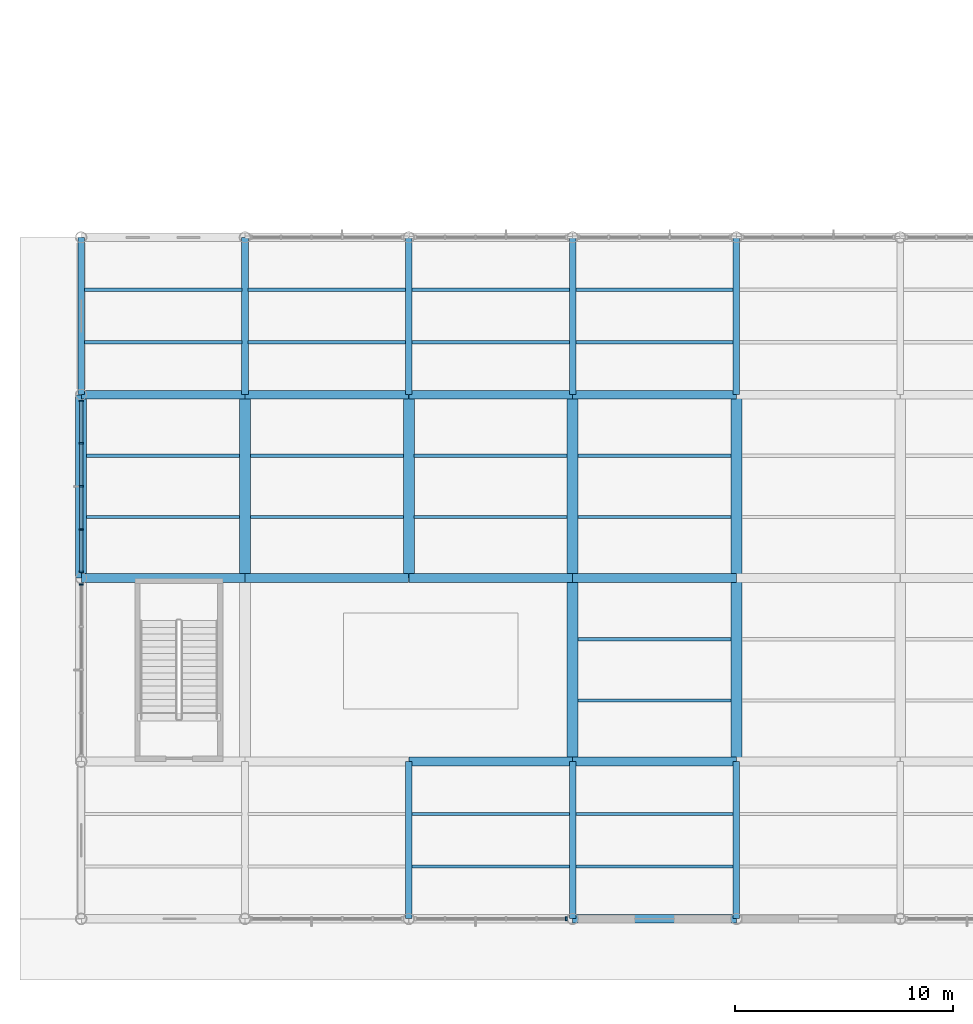
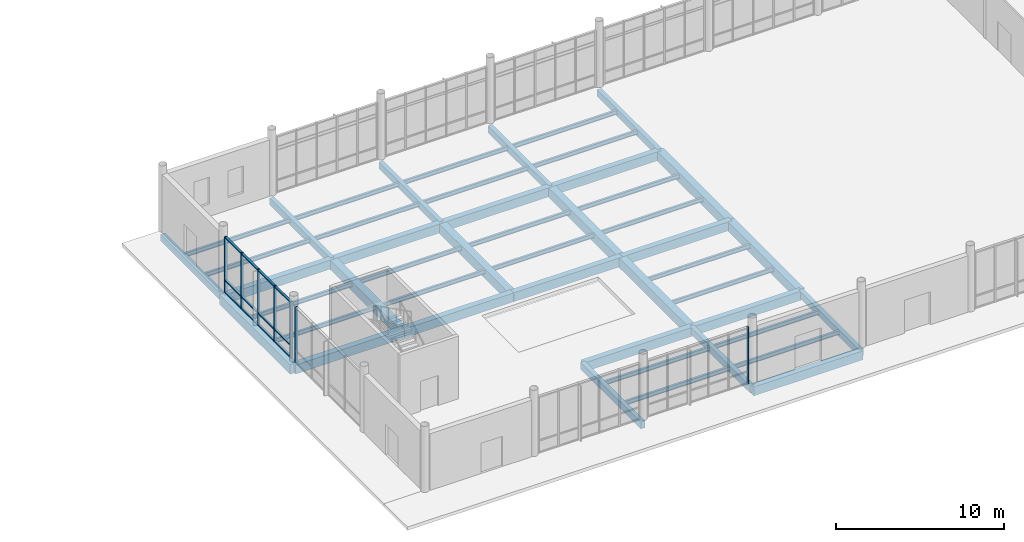
# One storey, part 16 of 82: 48 beams, 19 members, 3 elements without a shape of their own.
"""IFC4 building model written with IfcOpenShell, lengths in metres."""

import ifcopenshell
import ifcopenshell.guid

model = None  # the IFC model being written
_history = None  # IfcOwnerHistory: only IFC2X3 demands one
_inside = {}  # id of a spatial element -> (the spatial element, [elements in it])
_under = {}  # id of a project, library or spatial element -> (it, [spatial elements below it])
_declared = {}  # id of a project -> (the project, [libraries it declares])
_typed = {}  # id of a type object -> (the type object, [elements of that type])
_made_of = {}  # id of a material, layer set ... -> (it, [elements and type objects made of it])


def new_model(schema):
    """Start an empty IFC model of exactly this schema.

    Asked for "IFC4X3", IfcOpenShell would pick the latest addendum, in which some entities
    have other attributes; the version numbers below select the first issue.
    IFC2X3 requires an IfcOwnerHistory on every rooted entity: one is made here for all.
    """
    global model, _history
    if schema == "IFC4X3":
        model = ifcopenshell.file(schema_version=(4, 3, 0, 0))
    else:
        model = ifcopenshell.file(schema=schema)
    _inside.clear()
    _under.clear()
    _declared.clear()
    _typed.clear()
    _made_of.clear()
    _history = None
    if model.schema == "IFC2X3":
        org = make("IfcOrganization", Name="unknown")
        user = make(
            "IfcPersonAndOrganization",
            ThePerson=make("IfcPerson", FamilyName="unknown"),
            TheOrganization=org,
        )
        app = make(
            "IfcApplication",
            ApplicationDeveloper=org,
            Version="unknown",
            ApplicationFullName="unknown",
            ApplicationIdentifier="unknown",
        )
        _history = make(
            "IfcOwnerHistory",
            OwningUser=user,
            OwningApplication=app,
            ChangeAction="ADDED",
            CreationDate=0,
        )
    return model


def make(cls, **values):
    """One entity of the class cls with the attributes given. An attribute that is None is left unset."""
    return model.create_entity(
        cls, **{name: value for name, value in values.items() if value is not None}
    )


def rooted(cls, **values):
    """An entity with a GlobalId (a new one), such as an element, a storey or a relation."""
    return make(cls, GlobalId=ifcopenshell.guid.new(), OwnerHistory=_history, **values)


def si_unit(unit_type, name, prefix=None):
    """IfcSIUnit, for example si_unit("LENGTHUNIT", "METRE", prefix="MILLI")."""
    return make("IfcSIUnit", UnitType=unit_type, Prefix=prefix, Name=name)


def assignment(units):
    """IfcUnitAssignment: the units of a project."""
    return None if units is None else make("IfcUnitAssignment", Units=units)


def point(xyz):
    """IfcCartesianPoint."""
    return None if xyz is None else make("IfcCartesianPoint", Coordinates=xyz)


def direction(xyz):
    """IfcDirection."""
    return None if xyz is None else make("IfcDirection", DirectionRatios=xyz)


def frame(location, z_axis=None, x_axis=None):
    """IfcAxis2Placement3D, a coordinate frame: its origin and axes. An axis left out is left unset."""
    return make(
        "IfcAxis2Placement3D",
        Location=point(location),
        Axis=direction(z_axis),
        RefDirection=direction(x_axis),
    )


def frame_2d(location, x_axis=None):
    """IfcAxis2Placement2D, a coordinate frame in the plane: its origin and x axis."""
    return make(
        "IfcAxis2Placement2D", Location=point(location), RefDirection=direction(x_axis)
    )


def origin():
    """The frame at (0, 0, 0) with its axes left unset."""
    return frame((0.0, 0.0, 0.0))


def origin_2d():
    """The frame at (0, 0) in the plane with its x axis left unset."""
    return frame_2d((0.0, 0.0))


def place(relative_to, where):
    """IfcLocalPlacement: puts the frame where relative to a parent placement (None: the world)."""
    return make(
        "IfcLocalPlacement", PlacementRelTo=relative_to, RelativePlacement=where
    )


def context(
    kind, dimensions, precision=None, world=None, true_north=None, identifier=None
):
    """IfcGeometricRepresentationContext, for example the 3D "Model" context."""
    return make(
        "IfcGeometricRepresentationContext",
        ContextIdentifier=identifier,
        ContextType=kind,
        CoordinateSpaceDimension=dimensions,
        Precision=precision,
        WorldCoordinateSystem=world,
        TrueNorth=true_north,
    )


def subcontext(parent, identifier, kind, view, scale=None):
    """IfcGeometricRepresentationSubContext, for example "Body" below "Model"."""
    return make(
        "IfcGeometricRepresentationSubContext",
        ContextIdentifier=identifier,
        ContextType=kind,
        ParentContext=parent,
        TargetScale=scale,
        TargetView=view,
    )


def project(units=None, contexts=None):
    """IfcProject with its units and contexts."""
    return rooted(
        "IfcProject",
        Name="project",
        RepresentationContexts=contexts,
        UnitsInContext=assignment(units),
    )


def spatial(cls, under=None, at=None, **own):
    """A site, building, storey or space (cls), placed at a placement, below another one or the project."""
    s = rooted(cls, ObjectPlacement=at, **own)
    if under is not None:
        _under.setdefault(under.id(), (under, []))[1].append(s)
    return s


def profile(cls, at=None, kind="AREA", **sizes):
    """A parametric profile (cls). Its sizes go by their IFC names, for example OverallWidth=200.0."""
    return make(cls, ProfileType=kind, Position=at, **sizes)


def rectangle(**sizes):
    """IfcRectangleProfileDef."""
    return profile("IfcRectangleProfileDef", **sizes)


def i_section(**sizes):
    """IfcIShapeProfileDef."""
    return profile("IfcIShapeProfileDef", **sizes)


def extrude(swept, where, along, depth):
    """IfcExtrudedAreaSolid: the profile swept, set in the frame where, extruded along a direction by depth."""
    return make(
        "IfcExtrudedAreaSolid",
        SweptArea=swept,
        Position=where,
        ExtrudedDirection=direction(along),
        Depth=depth,
    )


def shape(context_of_items, identifier, shape_type, items):
    """IfcShapeRepresentation: the items that make up one representation, for example the "Body"."""
    return make(
        "IfcShapeRepresentation",
        ContextOfItems=context_of_items,
        RepresentationIdentifier=identifier,
        RepresentationType=shape_type,
        Items=items,
    )


def material(Name=None, Category=None):
    """IfcMaterial."""
    return make("IfcMaterial", Name=Name, Category=Category)


def layer(
    of_material, thickness, ventilated=None, Name=None, Category=None, Priority=None
):
    """IfcMaterialLayer: one layer of a wall or slab, of a material (None: an air gap)."""
    return make(
        "IfcMaterialLayer",
        Material=of_material,
        LayerThickness=thickness,
        IsVentilated=ventilated,
        Name=Name,
        Category=Category,
        Priority=Priority,
    )


def layer_set(layers, Name=None):
    """IfcMaterialLayerSet."""
    return make("IfcMaterialLayerSet", MaterialLayers=layers, LayerSetName=Name)


def material_profile(
    of_material, cross_section, Name=None, Category=None, Priority=None
):
    """IfcMaterialProfile: a cross section and its material."""
    return make(
        "IfcMaterialProfile",
        Name=Name,
        Material=of_material,
        Profile=cross_section,
        Priority=Priority,
        Category=Category,
    )


def profile_set(profiles, Name=None, composite=None):
    """IfcMaterialProfileSet."""
    return make(
        "IfcMaterialProfileSet",
        Name=Name,
        MaterialProfiles=profiles,
        CompositeProfile=composite,
    )


def made_of(thing, what):
    """Note that an element or type object is made of a material, layer set ...; save() writes the relation."""
    if what is not None:
        _made_of.setdefault(what.id(), (what, []))[1].append(thing)
    return thing


def type_object(cls, material=None, **own):
    """A type object (cls), such as IfcWallType, which elements share."""
    return made_of(rooted(cls, **own), material)


def element(
    cls,
    number,
    at=None,
    inside=None,
    cuts=None,
    type_object=None,
    material=None,
    context=None,
    identifier="Body",
    shape_type=None,
    held_by="IfcProductDefinitionShape",
    body=None,
    shapes=None,
    **own,
):
    """One element of the class cls, such as IfcWall. Its Tag is "e" and its number.

    at: its placement. inside: the storey or other place that contains it. cuts: it is an
    opening in that element (IfcRelVoidsElement). A single representation is given by context,
    identifier, shape_type and body (its items); several are given by shapes. held_by: the class
    of the entity that holds the representations. save() writes the other relations.
    """
    e = rooted(cls, Tag="e%d" % number, ObjectPlacement=at, **own)
    if body is not None:
        shapes = [shape(context, identifier, shape_type, body)]
    if shapes is not None:
        e.Representation = make(held_by, Representations=shapes)
    if inside is not None:
        _inside.setdefault(inside.id(), (inside, []))[1].append(e)
    if cuts is not None:
        rooted(
            "IfcRelVoidsElement", RelatingBuildingElement=cuts, RelatedOpeningElement=e
        )
    if type_object is not None:
        _typed.setdefault(type_object.id(), (type_object, []))[1].append(e)
    return made_of(e, material)


def aggregate(whole, parts):
    """IfcRelAggregates: a whole, such as a stair, and the parts it consists of."""
    return rooted("IfcRelAggregates", RelatingObject=whole, RelatedObjects=parts)


def save(model, path):
    """Write the relations noted so far, then the file.

    IfcRelAggregates (storeys below a building ...), IfcRelContainedInSpatialStructure (elements
    in a storey), IfcRelDefinesByType, IfcRelAssociatesMaterial and IfcRelDeclares: one each for
    every whole, place, type object, material and project.
    """
    for whole, parts in _under.values():
        aggregate(whole, parts)
    for where, things in _inside.values():
        rooted(
            "IfcRelContainedInSpatialStructure",
            RelatedElements=things,
            RelatingStructure=where,
        )
    for kind, things in _typed.values():
        rooted("IfcRelDefinesByType", RelatedObjects=things, RelatingType=kind)
    for what, things in _made_of.values():
        rooted("IfcRelAssociatesMaterial", RelatedObjects=things, RelatingMaterial=what)
    for by, libraries in _declared.values():
        rooted("IfcRelDeclares", RelatingContext=by, RelatedDefinitions=libraries)
    model.write(path)


model = new_model("IFC4")

# Units and contexts
model_context = context("Model", 3, precision=1e-05, world=origin(), true_north=direction((0.0, 1.0)))
body_context = subcontext(model_context, "Body", "Model", "MODEL_VIEW")
ifc_project = project(units=[si_unit("LENGTHUNIT", "METRE"), si_unit("AREAUNIT", "SQUARE_METRE"), si_unit("VOLUMEUNIT", "CUBIC_METRE"), si_unit("PLANEANGLEUNIT", "RADIAN"), si_unit("MASSUNIT", "GRAM", prefix="KILO")], contexts=[model_context])

# Site, building, storey
site_placement = place(None, origin())
site = spatial("IfcSite", under=ifc_project, at=site_placement, CompositionType="ELEMENT")
building_placement = place(site_placement, origin())
building = spatial("IfcBuilding", under=site, at=building_placement, Name="Yukiwa Park Conservatory and Herbarium", CompositionType="ELEMENT")
storey_placement = place(building_placement, origin())
storey = spatial("IfcBuildingStorey", under=building, at=storey_placement, Name="L00", CompositionType="ELEMENT", Elevation=0.0)

# Beams
ifc_material_1 = material(Name="Steel Q355D", Category="steel")
ifc_material_profile_1 = material_profile(ifc_material_1, i_section(OverallWidth=0.14892578125, OverallDepth=0.298095703125, WebThickness=0.005615234375, FlangeThickness=0.008056640625, FilletRadius=0.012939453125, at=origin_2d()), Name="HN 298x149x5.5x8")
ifc_profile_set_1 = profile_set([ifc_material_profile_1], Name="Steel Q355D")
beam_type_1 = type_object("IfcBeamType", Name="BM-JST-HN298", PredefinedType="JOIST", material=ifc_profile_set_1)
for number, where, z_axis, x_axis, name in (
    (1, (0.24609375, 18.39990234375, -0.408935546875), (1.0, 0.0, 0.0), (0.0, 1.0, 0.0), "L00 composite floor joist 3"),
    (2, (0.24609375, 21.199951171875, -0.408935546875), (1.0, 0.0, 0.0), (0.0, 1.0, 0.0), "L00 composite floor joist 4"),
):
    element("IfcBeam", number, at=place(storey_placement, frame(where, z_axis=z_axis, x_axis=x_axis)), inside=storey, type_object=beam_type_1, Name=name, PredefinedType="JOIST", context=body_context, shape_type="SweptSolid", body=[
        extrude(i_section(OverallWidth=0.14892578125, OverallDepth=0.298095703125, WebThickness=0.005615234375, FlangeThickness=0.008056640625, FilletRadius=0.012939453125, at=origin_2d()), origin(), (0.0, 0.0, 1.0), 7.0078125),
    ])
for number, where, z_axis, x_axis, name in (
    (3, (0.14599609375, 26.39990234375, -0.408935546875), (1.0, 0.0, 0.0), (0.0, 1.0, 0.0), "L00 composite floor joist 5"),
    (4, (0.14599609375, 28.800048828125, -0.408935546875), (1.0, 0.0, 0.0), (0.0, 1.0, 0.0), "L00 composite floor joist 6"),
):
    element("IfcBeam", number, at=place(storey_placement, frame(where, z_axis=z_axis, x_axis=x_axis)), inside=storey, type_object=beam_type_1, Name=name, PredefinedType="JOIST", context=body_context, shape_type="SweptSolid", body=[
        extrude(i_section(OverallWidth=0.14892578125, OverallDepth=0.298095703125, WebThickness=0.005615234375, FlangeThickness=0.008056640625, FilletRadius=0.012939453125, at=origin_2d()), origin(), (0.0, 0.0, 1.0), 7.2080078125),
    ])
for number, where, z_axis, x_axis, name in (
    (5, (7.74609375, 18.39990234375, -0.408935546875), (1.0, 0.0, 0.0), (0.0, 1.0, 0.0), "L00 composite floor joist 9"),
    (6, (7.74609375, 21.199951171875, -0.408935546875), (1.0, 0.0, 0.0), (0.0, 1.0, 0.0), "L00 composite floor joist 10"),
):
    element("IfcBeam", number, at=place(storey_placement, frame(where, z_axis=z_axis, x_axis=x_axis)), inside=storey, type_object=beam_type_1, Name=name, PredefinedType="JOIST", context=body_context, shape_type="SweptSolid", body=[
        extrude(i_section(OverallWidth=0.14892578125, OverallDepth=0.298095703125, WebThickness=0.005615234375, FlangeThickness=0.008056640625, FilletRadius=0.012939453125, at=origin_2d()), origin(), (0.0, 0.0, 1.0), 7.0078125),
    ])
for number, where, z_axis, x_axis, name in (
    (7, (7.64599609375, 26.39990234375, -0.408935546875), (1.0, 0.0, 0.0), (0.0, 1.0, 0.0), "L00 composite floor joist 11"),
    (8, (7.64599609375, 28.800048828125, -0.408935546875), (1.0, 0.0, 0.0), (0.0, 1.0, 0.0), "L00 composite floor joist 12"),
    (9, (15.14599609375, 2.39990234375, -0.408935546875), (1.0, 0.0, 0.0), (0.0, 1.0, 0.0), "L00 composite floor joist 13"),
    (10, (15.14599609375, 4.800048828125, -0.408935546875), (1.0, 0.0, 0.0), (0.0, 1.0, 0.0), "L00 composite floor joist 14"),
):
    element("IfcBeam", number, at=place(storey_placement, frame(where, z_axis=z_axis, x_axis=x_axis)), inside=storey, type_object=beam_type_1, Name=name, PredefinedType="JOIST", context=body_context, shape_type="SweptSolid", body=[
        extrude(i_section(OverallWidth=0.14892578125, OverallDepth=0.298095703125, WebThickness=0.005615234375, FlangeThickness=0.008056640625, FilletRadius=0.012939453125, at=origin_2d()), origin(), (0.0, 0.0, 1.0), 7.2080078125),
    ])
for number, where, z_axis, x_axis, name in (
    (11, (15.24609375, 18.39990234375, -0.408935546875), (1.0, 0.0, 0.0), (0.0, 1.0, 0.0), "L00 composite floor joist 15"),
    (12, (15.24609375, 21.199951171875, -0.408935546875), (1.0, 0.0, 0.0), (0.0, 1.0, 0.0), "L00 composite floor joist 16"),
):
    element("IfcBeam", number, at=place(storey_placement, frame(where, z_axis=z_axis, x_axis=x_axis)), inside=storey, type_object=beam_type_1, Name=name, PredefinedType="JOIST", context=body_context, shape_type="SweptSolid", body=[
        extrude(i_section(OverallWidth=0.14892578125, OverallDepth=0.298095703125, WebThickness=0.005615234375, FlangeThickness=0.008056640625, FilletRadius=0.012939453125, at=origin_2d()), origin(), (0.0, 0.0, 1.0), 7.0078125),
    ])
for number, where, z_axis, x_axis, name in (
    (13, (15.14599609375, 26.39990234375, -0.408935546875), (1.0, 0.0, 0.0), (0.0, 1.0, 0.0), "L00 composite floor joist 17"),
    (14, (15.14599609375, 28.800048828125, -0.408935546875), (1.0, 0.0, 0.0), (0.0, 1.0, 0.0), "L00 composite floor joist 18"),
    (15, (22.64599609375, 2.39990234375, -0.408935546875), (1.0, 0.0, 0.0), (0.0, 1.0, 0.0), "L00 composite floor joist 23"),
    (16, (22.64599609375, 4.800048828125, -0.408935546875), (1.0, 0.0, 0.0), (0.0, 1.0, 0.0), "L00 composite floor joist 24"),
):
    element("IfcBeam", number, at=place(storey_placement, frame(where, z_axis=z_axis, x_axis=x_axis)), inside=storey, type_object=beam_type_1, Name=name, PredefinedType="JOIST", context=body_context, shape_type="SweptSolid", body=[
        extrude(i_section(OverallWidth=0.14892578125, OverallDepth=0.298095703125, WebThickness=0.005615234375, FlangeThickness=0.008056640625, FilletRadius=0.012939453125, at=origin_2d()), origin(), (0.0, 0.0, 1.0), 7.2080078125),
    ])
for number, where, z_axis, x_axis, name in (
    (17, (22.74609375, 10.0, -0.408935546875), (1.0, 0.0, 0.0), (0.0, 1.0, 0.0), "L00 composite floor joist 25"),
    (18, (22.74609375, 12.800048828125, -0.408935546875), (1.0, 0.0, 0.0), (0.0, 1.0, 0.0), "L00 composite floor joist 26"),
    (19, (22.74609375, 18.39990234375, -0.408935546875), (1.0, 0.0, 0.0), (0.0, 1.0, 0.0), "L00 composite floor joist 27"),
    (20, (22.74609375, 21.199951171875, -0.408935546875), (1.0, 0.0, 0.0), (0.0, 1.0, 0.0), "L00 composite floor joist 28"),
):
    element("IfcBeam", number, at=place(storey_placement, frame(where, z_axis=z_axis, x_axis=x_axis)), inside=storey, type_object=beam_type_1, Name=name, PredefinedType="JOIST", context=body_context, shape_type="SweptSolid", body=[
        extrude(i_section(OverallWidth=0.14892578125, OverallDepth=0.298095703125, WebThickness=0.005615234375, FlangeThickness=0.008056640625, FilletRadius=0.012939453125, at=origin_2d()), origin(), (0.0, 0.0, 1.0), 7.0078125),
    ])
for number, where, z_axis, x_axis, name in (
    (21, (22.64599609375, 26.39990234375, -0.408935546875), (1.0, 0.0, 0.0), (0.0, 1.0, 0.0), "L00 composite floor joist 29"),
    (22, (22.64599609375, 28.800048828125, -0.408935546875), (1.0, 0.0, 0.0), (0.0, 1.0, 0.0), "L00 composite floor joist 30"),
):
    element("IfcBeam", number, at=place(storey_placement, frame(where, z_axis=z_axis, x_axis=x_axis)), inside=storey, type_object=beam_type_1, Name=name, PredefinedType="JOIST", context=body_context, shape_type="SweptSolid", body=[
        extrude(i_section(OverallWidth=0.14892578125, OverallDepth=0.298095703125, WebThickness=0.005615234375, FlangeThickness=0.008056640625, FilletRadius=0.012939453125, at=origin_2d()), origin(), (0.0, 0.0, 1.0), 7.2080078125),
    ])
ifc_material_2 = material(Name="Concrete C40", Category="concrete")
ifc_material_profile_2 = material_profile(ifc_material_2, rectangle(XDim=0.300048828125, YDim=0.5, at=origin_2d()), Name="RC 300x500")
ifc_profile_set_2 = profile_set([ifc_material_profile_2], Name="Concrete C40")
beam_type_2 = type_object("IfcBeamType", Name="BM-RC-300X500", PredefinedType="BEAM", material=ifc_profile_set_2)
for number, where, z_axis, x_axis, name in (
    (23, (0.0, 24.006103515625, -0.510009765625), (0.0, 1.0, 0.0), (-1.0, 0.0, 0.0), "L00 grid girder Y-157"),
    (24, (7.5, 24.006103515625, -0.510009765625), (0.0, 1.0, 0.0), (-1.0, 0.0, 0.0), "L00 grid girder Y-161"),
    (25, (15.0, 0.006103515625, -0.510009765625), (0.0, 1.0, 0.0), (-1.0, 0.0, 0.0), "L00 grid girder Y-162"),
    (26, (15.0, 24.006103515625, -0.510009765625), (0.0, 1.0, 0.0), (-1.0, 0.0, 0.0), "L00 grid girder Y-164"),
    (27, (22.5, 0.006103515625, -0.510009765625), (0.0, 1.0, 0.0), (-1.0, 0.0, 0.0), "L00 grid girder Y-169"),
    (28, (22.5, 24.006103515625, -0.510009765625), (0.0, 1.0, 0.0), (-1.0, 0.0, 0.0), "L00 grid girder Y-172"),
    (29, (30.0, 0.006103515625, -0.510009765625), (0.0, 1.0, 0.0), (-1.0, 0.0, 0.0), "L00 grid girder Y-177"),
    (30, (30.0, 24.006103515625, -0.510009765625), (0.0, 1.0, 0.0), (-1.0, 0.0, 0.0), "L00 grid girder Y-180"),
):
    element("IfcBeam", number, at=place(storey_placement, frame(where, z_axis=z_axis, x_axis=x_axis)), inside=storey, type_object=beam_type_2, Name=name, PredefinedType="BEAM", context=body_context, shape_type="SweptSolid", body=[
        extrude(rectangle(XDim=0.300048828125, YDim=0.5, at=origin_2d()), origin(), (0.0, 0.0, 1.0), 7.18798828125),
    ])
ifc_material_3 = material(Name="Concrete C40", Category="concrete")
ifc_material_profile_3 = material_profile(ifc_material_3, rectangle(XDim=0.39990234375, YDim=0.64990234375, at=origin_2d()), Name="RC 400x650")
ifc_profile_set_3 = profile_set([ifc_material_profile_3], Name="Concrete C40")
beam_type_3 = type_object("IfcBeamType", Name="BM-RC-400X650", PredefinedType="BEAM", material=ifc_profile_set_3)
for number, where, z_axis, x_axis, name in (
    (31, (22.506103515625, 0.0, -0.5849609375), (1.0, 0.0, 0.0), (0.0, 1.0, 0.0), "L00 grid beam X-4"),
    (32, (15.006103515625, 7.199951171875, -0.5849609375), (1.0, 0.0, 0.0), (0.0, 1.0, 0.0), "L00 grid beam X-11"),
    (33, (22.506103515625, 7.199951171875, -0.5849609375), (1.0, 0.0, 0.0), (0.0, 1.0, 0.0), "L00 grid beam X-12"),
    (34, (0.006103515625, 15.60009765625, -0.5849609375), (1.0, 0.0, 0.0), (0.0, 1.0, 0.0), "L00 grid beam X-17"),
    (35, (7.506103515625, 15.60009765625, -0.5849609375), (1.0, 0.0, 0.0), (0.0, 1.0, 0.0), "L00 grid beam X-18"),
    (36, (15.006103515625, 15.60009765625, -0.5849609375), (1.0, 0.0, 0.0), (0.0, 1.0, 0.0), "L00 grid beam X-19"),
    (37, (22.506103515625, 15.60009765625, -0.5849609375), (1.0, 0.0, 0.0), (0.0, 1.0, 0.0), "L00 grid beam X-20"),
    (38, (0.006103515625, 24.0, -0.5849609375), (1.0, 0.0, 0.0), (0.0, 1.0, 0.0), "L00 grid beam X-31"),
    (39, (7.506103515625, 24.0, -0.5849609375), (1.0, 0.0, 0.0), (0.0, 1.0, 0.0), "L00 grid beam X-32"),
    (40, (15.006103515625, 24.0, -0.5849609375), (1.0, 0.0, 0.0), (0.0, 1.0, 0.0), "L00 grid beam X-33"),
    (41, (22.506103515625, 24.0, -0.5849609375), (1.0, 0.0, 0.0), (0.0, 1.0, 0.0), "L00 grid beam X-34"),
):
    element("IfcBeam", number, at=place(storey_placement, frame(where, z_axis=z_axis, x_axis=x_axis)), inside=storey, type_object=beam_type_3, Name=name, PredefinedType="BEAM", context=body_context, shape_type="SweptSolid", body=[
        extrude(rectangle(XDim=0.39990234375, YDim=0.64990234375, at=origin_2d()), origin(), (0.0, 0.0, 1.0), 7.48779296875),
    ])
ifc_material_4 = material(Name="Concrete C40", Category="concrete")
ifc_material_profile_4 = material_profile(ifc_material_4, rectangle(XDim=0.5, YDim=0.699951171875, at=origin_2d()), Name="RC 500x700")
ifc_profile_set_4 = profile_set([ifc_material_profile_4], Name="Concrete C40")
beam_type_4 = type_object("IfcBeamType", Name="BM-RC-500X700", PredefinedType="BEAM", material=ifc_profile_set_4)
for number, where, z_axis, x_axis, name in (
    (42, (0.0, 15.60595703125, -0.610107421875), (0.0, 1.0, 0.0), (-1.0, 0.0, 0.0), "L00 grid girder Y-156"),
    (43, (7.5, 15.60595703125, -0.610107421875), (0.0, 1.0, 0.0), (-1.0, 0.0, 0.0), "L00 grid girder Y-160"),
    (44, (15.0, 15.60595703125, -0.610107421875), (0.0, 1.0, 0.0), (-1.0, 0.0, 0.0), "L00 grid girder Y-163"),
    (45, (22.5, 7.2060546875, -0.610107421875), (0.0, 1.0, 0.0), (-1.0, 0.0, 0.0), "L00 grid girder Y-170"),
    (46, (22.5, 15.60595703125, -0.610107421875), (0.0, 1.0, 0.0), (-1.0, 0.0, 0.0), "L00 grid girder Y-171"),
    (47, (30.0, 7.2060546875, -0.610107421875), (0.0, 1.0, 0.0), (-1.0, 0.0, 0.0), "L00 grid girder Y-178"),
    (48, (30.0, 15.60595703125, -0.610107421875), (0.0, 1.0, 0.0), (-1.0, 0.0, 0.0), "L00 grid girder Y-179"),
):
    element("IfcBeam", number, at=place(storey_placement, frame(where, z_axis=z_axis, x_axis=x_axis)), inside=storey, type_object=beam_type_4, Name=name, PredefinedType="BEAM", context=body_context, shape_type="SweptSolid", body=[
        extrude(rectangle(XDim=0.5, YDim=0.699951171875, at=origin_2d()), origin(), (0.0, 0.0, 1.0), 8.387939453125),
    ])

# Curtain wall, member
ifc_material_5 = material(Name="Triple Low-E Insulated Glass", Category="glass")
ifc_layer_1 = layer(ifc_material_5, 0.152099609375)
ifc_layer_set_1 = layer_set([ifc_layer_1], Name="Triple Low-E Insulated Glass")
curtain_wall_type_1 = type_object("IfcCurtainWallType", Name="CW-CONSERVATORY-1500", PredefinedType="NOTDEFINED", material=ifc_layer_set_1)
curtain_wall_1_placement = place(storey_placement, origin())
curtain_wall_1 = element("IfcCurtainWall", 49, at=curtain_wall_1_placement, inside=storey, type_object=curtain_wall_type_1, Name="L00 unitised curtain wall CW-L00-002", PredefinedType="NOTDEFINED")
ifc_material_6 = material(Name="Anodised Aluminium", Category="aluminium")
member_type_1 = type_object("IfcMemberType", Name="MB-CW-MUL-80X180", PredefinedType="MULLION", material=ifc_material_6)
member_1_placement = place(storey_placement, frame((22.2060546875, 0.0, 0.0), z_axis=(0.0, 0.0, 1.0), x_axis=(1.0, 0.0, 0.0)))
member_1 = element("IfcMember", 50, at=member_1_placement, type_object=member_type_1, Name="CW-L00-002 mullion 6", PredefinedType="MULLION", context=body_context, shape_type="SweptSolid", body=[
    extrude(rectangle(XDim=0.080078125, YDim=0.179931640625, at=origin_2d()), origin(), (0.0, 0.0, 1.0), 4.110107421875),
])
aggregate(curtain_wall_1, [member_1])

# Curtain wall, members
ifc_material_7 = material(Name="Triple Low-E Insulated Glass", Category="glass")
ifc_layer_2 = layer(ifc_material_7, 0.1640625)
ifc_layer_set_2 = layer_set([ifc_layer_2], Name="Triple Low-E Insulated Glass")
curtain_wall_type_2 = type_object("IfcCurtainWallType", Name="CW-CONSERVATORY-1875", PredefinedType="NOTDEFINED", material=ifc_layer_set_2)
curtain_wall_2_placement = place(storey_placement, origin())
curtain_wall_2 = element("IfcCurtainWall", 51, at=curtain_wall_2_placement, inside=storey, type_object=curtain_wall_type_2, Name="L00 unitised curtain wall CW-L00-024", PredefinedType="NOTDEFINED")
member_2_placement = place(storey_placement, frame((0.0, 23.7060546875, 0.0), z_axis=(0.0, 0.0, 1.0), x_axis=(0.0, -1.0, 0.0)))
member_2 = element("IfcMember", 52, at=member_2_placement, type_object=member_type_1, Name="CW-L00-024 mullion 1", PredefinedType="MULLION", context=body_context, shape_type="SweptSolid", body=[
    extrude(rectangle(XDim=0.080078125, YDim=0.179931640625, at=origin_2d()), origin(), (0.0, 0.0, 1.0), 4.06005859375),
])
member_3_placement = place(storey_placement, frame((0.0, 21.77294921875, 0.0), z_axis=(0.0, 0.0, 1.0), x_axis=(0.0, -1.0, 0.0)))
member_3 = element("IfcMember", 53, at=member_3_placement, type_object=member_type_1, Name="CW-L00-024 mullion 2", PredefinedType="MULLION", context=body_context, shape_type="SweptSolid", body=[
    extrude(rectangle(XDim=0.080078125, YDim=0.179931640625, at=origin_2d()), origin(), (0.0, 0.0, 1.0), 4.06005859375),
])
member_4_placement = place(storey_placement, frame((0.0, 19.800048828125, 0.0), z_axis=(0.0, 0.0, 1.0), x_axis=(0.0, -1.0, 0.0)))
member_4 = element("IfcMember", 54, at=member_4_placement, type_object=member_type_1, Name="CW-L00-024 mullion 3", PredefinedType="MULLION", context=body_context, shape_type="SweptSolid", body=[
    extrude(rectangle(XDim=0.080078125, YDim=0.179931640625, at=origin_2d()), origin(), (0.0, 0.0, 1.0), 4.06005859375),
])
member_5_placement = place(storey_placement, frame((0.0, 17.826904296875, 0.0), z_axis=(0.0, 0.0, 1.0), x_axis=(0.0, -1.0, 0.0)))
member_5 = element("IfcMember", 55, at=member_5_placement, type_object=member_type_1, Name="CW-L00-024 mullion 4", PredefinedType="MULLION", context=body_context, shape_type="SweptSolid", body=[
    extrude(rectangle(XDim=0.080078125, YDim=0.179931640625, at=origin_2d()), origin(), (0.0, 0.0, 1.0), 4.06005859375),
])
member_6_placement = place(storey_placement, frame((0.0, 15.89404296875, 0.0), z_axis=(0.0, 0.0, 1.0), x_axis=(0.0, -1.0, 0.0)))
member_6 = element("IfcMember", 56, at=member_6_placement, type_object=member_type_1, Name="CW-L00-024 mullion 5", PredefinedType="MULLION", context=body_context, shape_type="SweptSolid", body=[
    extrude(rectangle(XDim=0.080078125, YDim=0.179931640625, at=origin_2d()), origin(), (0.0, 0.0, 1.0), 4.06005859375),
])

# Curtain wall, member
curtain_wall_3_placement = place(storey_placement, origin())
curtain_wall_3 = element("IfcCurtainWall", 57, at=curtain_wall_3_placement, inside=storey, type_object=curtain_wall_type_2, Name="L00 unitised curtain wall CW-L00-025", PredefinedType="NOTDEFINED")
member_7_placement = place(storey_placement, frame((0.0, 15.305908203125, 0.0), z_axis=(0.0, 0.0, 1.0), x_axis=(0.0, -1.0, 0.0)))
member_7 = element("IfcMember", 58, at=member_7_placement, type_object=member_type_1, Name="CW-L00-025 mullion 1", PredefinedType="MULLION", context=body_context, shape_type="SweptSolid", body=[
    extrude(rectangle(XDim=0.080078125, YDim=0.179931640625, at=origin_2d()), origin(), (0.0, 0.0, 1.0), 4.06005859375),
])
aggregate(curtain_wall_3, [member_7])

# Member
ifc_material_8 = material(Name="Anodised Aluminium", Category="aluminium")
member_type_2 = type_object("IfcMemberType", Name="MB-CW-TRN-80X150", PredefinedType="USERDEFINED", material=ifc_material_8)
member_8_placement = place(storey_placement, frame((0.0, 22.759521484375, 0.0), z_axis=(0.0, 0.0, 1.0), x_axis=(0.0, -1.0, 0.0)))
member_8 = element("IfcMember", 59, at=member_8_placement, type_object=member_type_2, Name="CW-L00-024 transom 1.1", ObjectType="TRANSOM", PredefinedType="USERDEFINED", context=body_context, shape_type="SweptSolid", body=[
    extrude(rectangle(XDim=1.89306640625, YDim=0.14990234375, at=origin_2d()), origin(), (0.0, 0.0, 1.0), 0.080078125),
])

member_9_placement = place(storey_placement, frame((0.0, 22.759521484375, 0.85986328125), z_axis=(0.0, 0.0, 1.0), x_axis=(0.0, -1.0, 0.0)))
member_9 = element("IfcMember", 60, at=member_9_placement, type_object=member_type_2, Name="CW-L00-024 transom 1.2", ObjectType="TRANSOM", PredefinedType="USERDEFINED", context=body_context, shape_type="SweptSolid", body=[
    extrude(rectangle(XDim=1.89306640625, YDim=0.14990234375, at=origin_2d()), origin(), (0.0, 0.0, 1.0), 0.080078125),
])

member_10_placement = place(storey_placement, frame((0.0, 22.759521484375, 3.97998046875), z_axis=(0.0, 0.0, 1.0), x_axis=(0.0, -1.0, 0.0)))
member_10 = element("IfcMember", 61, at=member_10_placement, type_object=member_type_2, Name="CW-L00-024 transom 1.3", ObjectType="TRANSOM", PredefinedType="USERDEFINED", context=body_context, shape_type="SweptSolid", body=[
    extrude(rectangle(XDim=1.89306640625, YDim=0.14990234375, at=origin_2d()), origin(), (0.0, 0.0, 1.0), 0.080078125),
])

member_11_placement = place(storey_placement, frame((0.0, 20.78662109375, 0.0), z_axis=(0.0, 0.0, 1.0), x_axis=(0.0, -1.0, 0.0)))
member_11 = element("IfcMember", 62, at=member_11_placement, type_object=member_type_2, Name="CW-L00-024 transom 2.1", ObjectType="TRANSOM", PredefinedType="USERDEFINED", context=body_context, shape_type="SweptSolid", body=[
    extrude(rectangle(XDim=1.89306640625, YDim=0.14990234375, at=origin_2d()), origin(), (0.0, 0.0, 1.0), 0.080078125),
])

member_12_placement = place(storey_placement, frame((0.0, 20.78662109375, 0.85986328125), z_axis=(0.0, 0.0, 1.0), x_axis=(0.0, -1.0, 0.0)))
member_12 = element("IfcMember", 63, at=member_12_placement, type_object=member_type_2, Name="CW-L00-024 transom 2.2", ObjectType="TRANSOM", PredefinedType="USERDEFINED", context=body_context, shape_type="SweptSolid", body=[
    extrude(rectangle(XDim=1.89306640625, YDim=0.14990234375, at=origin_2d()), origin(), (0.0, 0.0, 1.0), 0.080078125),
])

member_13_placement = place(storey_placement, frame((0.0, 20.78662109375, 3.97998046875), z_axis=(0.0, 0.0, 1.0), x_axis=(0.0, -1.0, 0.0)))
member_13 = element("IfcMember", 64, at=member_13_placement, type_object=member_type_2, Name="CW-L00-024 transom 2.3", ObjectType="TRANSOM", PredefinedType="USERDEFINED", context=body_context, shape_type="SweptSolid", body=[
    extrude(rectangle(XDim=1.89306640625, YDim=0.14990234375, at=origin_2d()), origin(), (0.0, 0.0, 1.0), 0.080078125),
])

member_14_placement = place(storey_placement, frame((0.0, 18.8134765625, 0.0), z_axis=(0.0, 0.0, 1.0), x_axis=(0.0, -1.0, 0.0)))
member_14 = element("IfcMember", 65, at=member_14_placement, type_object=member_type_2, Name="CW-L00-024 transom 3.1", ObjectType="TRANSOM", PredefinedType="USERDEFINED", context=body_context, shape_type="SweptSolid", body=[
    extrude(rectangle(XDim=1.89306640625, YDim=0.14990234375, at=origin_2d()), origin(), (0.0, 0.0, 1.0), 0.080078125),
])

member_15_placement = place(storey_placement, frame((0.0, 18.8134765625, 0.85986328125), z_axis=(0.0, 0.0, 1.0), x_axis=(0.0, -1.0, 0.0)))
member_15 = element("IfcMember", 66, at=member_15_placement, type_object=member_type_2, Name="CW-L00-024 transom 3.2", ObjectType="TRANSOM", PredefinedType="USERDEFINED", context=body_context, shape_type="SweptSolid", body=[
    extrude(rectangle(XDim=1.89306640625, YDim=0.14990234375, at=origin_2d()), origin(), (0.0, 0.0, 1.0), 0.080078125),
])

member_16_placement = place(storey_placement, frame((0.0, 18.8134765625, 3.97998046875), z_axis=(0.0, 0.0, 1.0), x_axis=(0.0, -1.0, 0.0)))
member_16 = element("IfcMember", 67, at=member_16_placement, type_object=member_type_2, Name="CW-L00-024 transom 3.3", ObjectType="TRANSOM", PredefinedType="USERDEFINED", context=body_context, shape_type="SweptSolid", body=[
    extrude(rectangle(XDim=1.89306640625, YDim=0.14990234375, at=origin_2d()), origin(), (0.0, 0.0, 1.0), 0.080078125),
])

member_17_placement = place(storey_placement, frame((0.0, 16.840576171875, 0.0), z_axis=(0.0, 0.0, 1.0), x_axis=(0.0, -1.0, 0.0)))
member_17 = element("IfcMember", 68, at=member_17_placement, type_object=member_type_2, Name="CW-L00-024 transom 4.1", ObjectType="TRANSOM", PredefinedType="USERDEFINED", context=body_context, shape_type="SweptSolid", body=[
    extrude(rectangle(XDim=1.89306640625, YDim=0.14990234375, at=origin_2d()), origin(), (0.0, 0.0, 1.0), 0.080078125),
])

member_18_placement = place(storey_placement, frame((0.0, 16.840576171875, 0.85986328125), z_axis=(0.0, 0.0, 1.0), x_axis=(0.0, -1.0, 0.0)))
member_18 = element("IfcMember", 69, at=member_18_placement, type_object=member_type_2, Name="CW-L00-024 transom 4.2", ObjectType="TRANSOM", PredefinedType="USERDEFINED", context=body_context, shape_type="SweptSolid", body=[
    extrude(rectangle(XDim=1.89306640625, YDim=0.14990234375, at=origin_2d()), origin(), (0.0, 0.0, 1.0), 0.080078125),
])

member_19_placement = place(storey_placement, frame((0.0, 16.840576171875, 3.97998046875), z_axis=(0.0, 0.0, 1.0), x_axis=(0.0, -1.0, 0.0)))
member_19 = element("IfcMember", 70, at=member_19_placement, type_object=member_type_2, Name="CW-L00-024 transom 4.3", ObjectType="TRANSOM", PredefinedType="USERDEFINED", context=body_context, shape_type="SweptSolid", body=[
    extrude(rectangle(XDim=1.89306640625, YDim=0.14990234375, at=origin_2d()), origin(), (0.0, 0.0, 1.0), 0.080078125),
])

aggregate(curtain_wall_2, [member_2, member_3, member_4, member_5, member_6, member_8, member_9, member_10, member_11, member_12, member_13, member_14, member_15, member_16, member_17, member_18, member_19])

save(model, "model.ifc")
